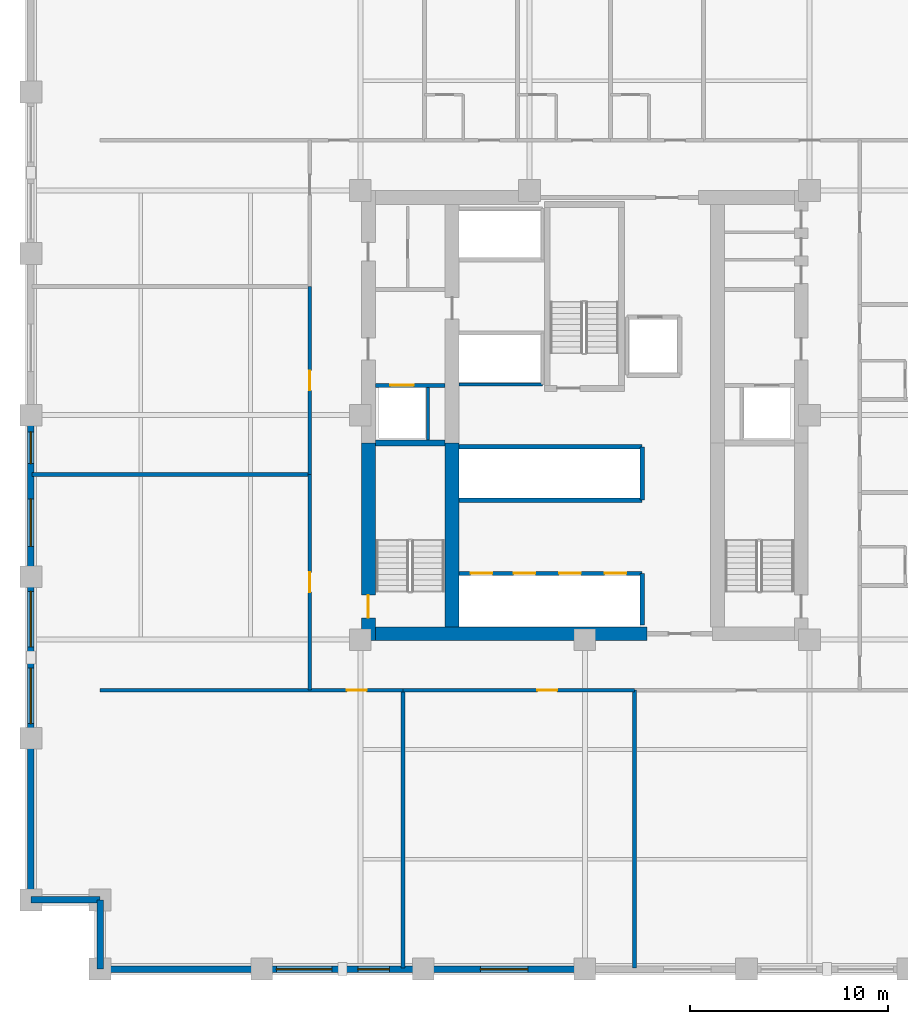
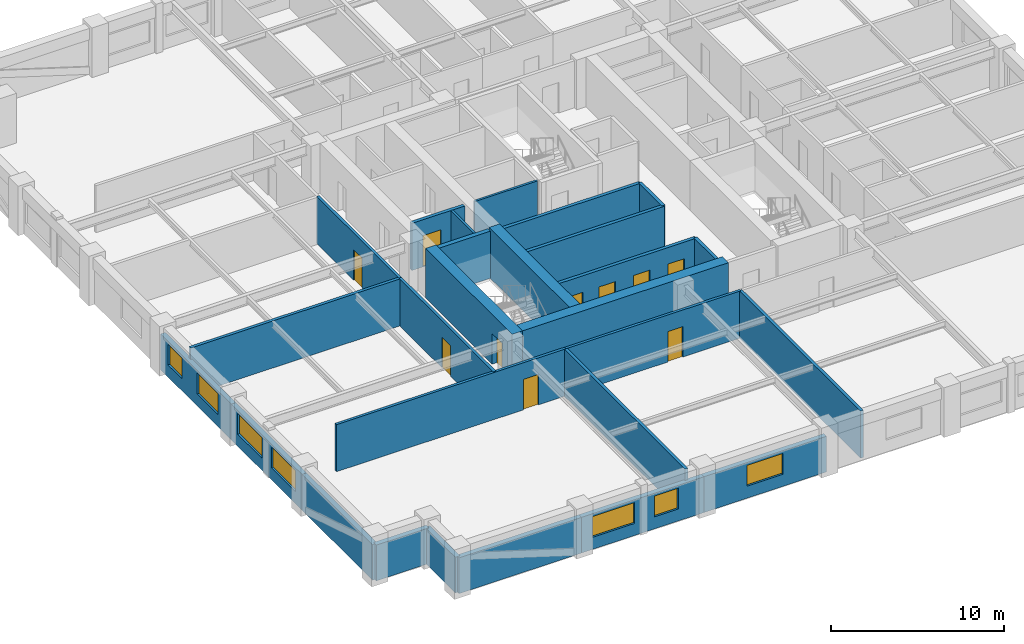
# One storey, part 2 of 7: 27 walls, 10 doors, 7 windows, 17 openings.
"""IFC4 building model written with IfcOpenShell, lengths in metres."""

from ifc_helpers import new_model, si_unit, direction, frame, frame_2d, origin, place, context, subcontext, project, spatial, rectangle, extrude, material, layer, layer_set, type_object, element, fill, save


model = new_model("IFC4")

# Units and contexts
model_context = context("Model", 3, precision=1e-05, world=origin(), true_north=direction((0.0, 1.0)))
body_context = subcontext(model_context, "Body", "Model", "MODEL_VIEW")
ifc_project = project(units=[si_unit("LENGTHUNIT", "METRE"), si_unit("AREAUNIT", "SQUARE_METRE"), si_unit("VOLUMEUNIT", "CUBIC_METRE"), si_unit("PLANEANGLEUNIT", "RADIAN"), si_unit("MASSUNIT", "GRAM", prefix="KILO")], contexts=[model_context])

# Site, building, storey
site_placement = place(None, origin())
site = spatial("IfcSite", under=ifc_project, at=site_placement, CompositionType="ELEMENT")
building_placement = place(site_placement, origin())
building = spatial("IfcBuilding", under=site, at=building_placement, Name="Nhamokura Convention Tower", CompositionType="ELEMENT")
storey_placement = place(building_placement, frame((0.0, 0.0, 52.85009765625)))
storey = spatial("IfcBuildingStorey", under=building, at=storey_placement, Name="L11", CompositionType="ELEMENT", Elevation=52.85009765625)

# Wall
ifc_material_1 = material(Name="Bronze-pigmented precast concrete C45/55", Category="concrete")
ifc_layer_1 = layer(ifc_material_1, 0.320068359375)
ifc_layer_set_1 = layer_set([ifc_layer_1], Name="BronzePrecastSpandrel_320")
wall_type_1 = type_object("IfcWallType", Name="BronzePrecastSpandrel_320", PredefinedType="USERDEFINED", material=ifc_layer_set_1)
wall_1_placement = place(storey_placement, frame((15.666748046875, 4.0, 0.0), z_axis=(0.0, 0.0, 1.0), x_axis=(-1.0, 0.0, 0.0)))
element("IfcWall", 1, at=wall_1_placement, inside=storey, type_object=wall_type_1, Name="L11 Braced-Bay Precast Wall SOUTH 0", ObjectType="SPANDREL_WALL", PredefinedType="USERDEFINED", context=body_context, shape_type="SweptSolid", body=[
    extrude(rectangle(XDim=8.166748046875, YDim=0.320068359375, at=frame_2d((4.08349609375, 0.0))), origin(), (0.0, 0.0, 1.0), 2.52001953125),
])

# Wall, openings, windows
wall_2_placement = place(storey_placement, frame((23.833251953125, 4.0, 0.0), z_axis=(0.0, 0.0, 1.0), x_axis=(-1.0, 0.0, 0.0)))
wall_2 = element("IfcWall", 2, at=wall_2_placement, inside=storey, type_object=wall_type_1, Name="L11 Masonry-Frame Wall SOUTH 1", ObjectType="SPANDREL_WALL", PredefinedType="USERDEFINED", context=body_context, shape_type="SweptSolid", body=[
    extrude(rectangle(XDim=8.16650390625, YDim=0.320068359375, at=frame_2d((4.083251953125, 0.0))), origin(), (0.0, 0.0, 1.0), 2.52001953125),
])
opening_1_placement = place(wall_2_placement, frame((1.708251953125, 0.0, 0.85009765625)))
opening_1 = element("IfcOpeningElement", 3, at=opening_1_placement, cuts=wall_2, Name="Opening W-11", PredefinedType="OPENING", context=body_context, shape_type="SweptSolid", body=[
    extrude(rectangle(XDim=1.60009765625, YDim=1.469970703125, at=frame_2d((0.800048828125, 0.73486328125))), frame((0.0, 0.169921875, 0.0), z_axis=(0.0, -1.0, 0.0), x_axis=(1.0, 0.0, 0.0)), (0.0, 0.0, 1.0), 0.340087890625),
])
opening_2_placement = place(wall_2_placement, frame((4.625, 0.0, 0.85009765625)))
opening_2 = element("IfcOpeningElement", 4, at=opening_2_placement, cuts=wall_2, Name="Opening W-04", PredefinedType="OPENING", context=body_context, shape_type="SweptSolid", body=[
    extrude(rectangle(XDim=2.800048828125, YDim=1.469970703125, at=frame_2d((1.39990234375, 0.73486328125))), frame((0.0, 0.169921875, 0.0), z_axis=(0.0, -1.0, 0.0), x_axis=(1.0, 0.0, 0.0)), (0.0, 0.0, 1.0), 0.340087890625),
])
ifc_material_2 = material(Name="Solar-control bronze low-E double glass", Category="glass")
window_type_1 = type_object("IfcWindowType", Name="HotelSuiteWindow_2800", PartitioningType="DOUBLE_PANEL_VERTICAL", PredefinedType="WINDOW", material=ifc_material_2)
window_1_placement = place(opening_2_placement, origin())
window_1 = element("IfcWindow", 5, at=window_1_placement, inside=storey, type_object=window_type_1, Name="L11 Facade Window SOUTH 1-3", OverallHeight=1.469970703125, OverallWidth=2.800048828125, PartitioningType="SINGLE_PANEL", PredefinedType="WINDOW", context=body_context, shape_type="SweptSolid", body=[
    extrude(rectangle(XDim=2.800048828125, YDim=1.469970703125, at=frame_2d((1.39990234375, 0.73486328125))), frame((0.0, 0.030029296875, 0.0), z_axis=(0.0, -1.0, 0.0), x_axis=(1.0, 0.0, 0.0)), (0.0, 0.0, 1.0), 0.06005859375),
])
fill(opening_2, window_1)
ifc_material_3 = material(Name="Solar-control bronze low-E double glass", Category="glass")
window_type_2 = type_object("IfcWindowType", Name="NotchCornerWindow_1600", PartitioningType="SINGLE_PANEL", PredefinedType="WINDOW", material=ifc_material_3)
window_2_placement = place(opening_1_placement, origin())
window_2 = element("IfcWindow", 6, at=window_2_placement, inside=storey, type_object=window_type_2, Name="L11 Facade Window SOUTH 1-2", OverallHeight=1.469970703125, OverallWidth=1.60009765625, PartitioningType="SINGLE_PANEL", PredefinedType="WINDOW", context=body_context, shape_type="SweptSolid", body=[
    extrude(rectangle(XDim=1.60009765625, YDim=1.469970703125, at=frame_2d((0.800048828125, 0.73486328125))), frame((0.0, 0.030029296875, 0.0), z_axis=(0.0, -1.0, 0.0), x_axis=(1.0, 0.0, 0.0)), (0.0, 0.0, 1.0), 0.06005859375),
])
fill(opening_1, window_2)

# Wall, opening, window
wall_3_placement = place(storey_placement, frame((32.0, 4.0, 0.0), z_axis=(0.0, 0.0, 1.0), x_axis=(-1.0, 0.0, 0.0)))
wall_3 = element("IfcWall", 7, at=wall_3_placement, inside=storey, type_object=wall_type_1, Name="L11 Masonry-Frame Wall SOUTH 2", ObjectType="SPANDREL_WALL", PredefinedType="USERDEFINED", context=body_context, shape_type="SweptSolid", body=[
    extrude(rectangle(XDim=8.166748046875, YDim=0.320068359375, at=frame_2d((4.08349609375, 0.0))), origin(), (0.0, 0.0, 1.0), 2.52001953125),
])
opening_3_placement = place(wall_3_placement, frame((2.88330078125, 0.0, 0.85009765625)))
opening_3 = element("IfcOpeningElement", 8, at=opening_3_placement, cuts=wall_3, Name="Opening W-03", PredefinedType="OPENING", context=body_context, shape_type="SweptSolid", body=[
    extrude(rectangle(XDim=2.39990234375, YDim=1.469970703125, at=frame_2d((1.199951171875, 0.73486328125))), frame((0.0, 0.169921875, 0.0), z_axis=(0.0, -1.0, 0.0), x_axis=(1.0, 0.0, 0.0)), (0.0, 0.0, 1.0), 0.340087890625),
])
ifc_material_4 = material(Name="Solar-control bronze low-E double glass", Category="glass")
window_type_3 = type_object("IfcWindowType", Name="HotelBayWindow_2400", PartitioningType="DOUBLE_PANEL_VERTICAL", PredefinedType="WINDOW", material=ifc_material_4)
window_3_placement = place(opening_3_placement, origin())
window_3 = element("IfcWindow", 9, at=window_3_placement, inside=storey, type_object=window_type_3, Name="L11 Facade Window SOUTH 2", OverallHeight=1.469970703125, OverallWidth=2.39990234375, PartitioningType="SINGLE_PANEL", PredefinedType="WINDOW", context=body_context, shape_type="SweptSolid", body=[
    extrude(rectangle(XDim=2.39990234375, YDim=1.469970703125, at=frame_2d((1.199951171875, 0.73486328125))), frame((0.0, 0.030029296875, 0.0), z_axis=(0.0, -1.0, 0.0), x_axis=(1.0, 0.0, 0.0)), (0.0, 0.0, 1.0), 0.06005859375),
])
fill(opening_3, window_3)

# Wall
wall_4_placement = place(storey_placement, frame((4.0, 7.5, 0.0), z_axis=(0.0, 0.0, 1.0), x_axis=(0.0, 1.0, 0.0)))
element("IfcWall", 10, at=wall_4_placement, inside=storey, type_object=wall_type_1, Name="L11 Braced-Bay Precast Wall WEST 0", ObjectType="SPANDREL_WALL", PredefinedType="USERDEFINED", context=body_context, shape_type="SweptSolid", body=[
    extrude(rectangle(XDim=8.166748046875, YDim=0.320068359375, at=frame_2d((4.08349609375, 0.0))), origin(), (0.0, 0.0, 1.0), 2.52001953125),
])

# Wall, openings, windows
wall_5_placement = place(storey_placement, frame((4.0, 15.666748046875, 0.0), z_axis=(0.0, 0.0, 1.0), x_axis=(0.0, 1.0, 0.0)))
wall_5 = element("IfcWall", 11, at=wall_5_placement, inside=storey, type_object=wall_type_1, Name="L11 Masonry-Frame Wall WEST 1", ObjectType="SPANDREL_WALL", PredefinedType="USERDEFINED", context=body_context, shape_type="SweptSolid", body=[
    extrude(rectangle(XDim=8.16650390625, YDim=0.320068359375, at=frame_2d((4.083251953125, 0.0))), origin(), (0.0, 0.0, 1.0), 2.52001953125),
])
opening_4_placement = place(wall_5_placement, frame((0.74169921875, 0.0, 0.85009765625)))
opening_4 = element("IfcOpeningElement", 12, at=opening_4_placement, cuts=wall_5, Name="Opening W-04", PredefinedType="OPENING", context=body_context, shape_type="SweptSolid", body=[
    extrude(rectangle(XDim=2.800048828125, YDim=1.469970703125, at=frame_2d((1.39990234375, 0.73486328125))), frame((0.0, 0.169921875, 0.0), z_axis=(0.0, -1.0, 0.0), x_axis=(1.0, 0.0, 0.0)), (0.0, 0.0, 1.0), 0.340087890625),
])
opening_5_placement = place(wall_5_placement, frame((4.625, 0.0, 0.85009765625)))
opening_5 = element("IfcOpeningElement", 13, at=opening_5_placement, cuts=wall_5, Name="Opening W-04", PredefinedType="OPENING", context=body_context, shape_type="SweptSolid", body=[
    extrude(rectangle(XDim=2.800048828125, YDim=1.469970703125, at=frame_2d((1.39990234375, 0.73486328125))), frame((0.0, 0.169921875, 0.0), z_axis=(0.0, -1.0, 0.0), x_axis=(1.0, 0.0, 0.0)), (0.0, 0.0, 1.0), 0.340087890625),
])
window_4_placement = place(opening_4_placement, origin())
window_4 = element("IfcWindow", 14, at=window_4_placement, inside=storey, type_object=window_type_1, Name="L11 Facade Window WEST 1-1", OverallHeight=1.469970703125, OverallWidth=2.800048828125, PartitioningType="SINGLE_PANEL", PredefinedType="WINDOW", context=body_context, shape_type="SweptSolid", body=[
    extrude(rectangle(XDim=2.800048828125, YDim=1.469970703125, at=frame_2d((1.39990234375, 0.73486328125))), frame((0.0, 0.030029296875, 0.0), z_axis=(0.0, -1.0, 0.0), x_axis=(1.0, 0.0, 0.0)), (0.0, 0.0, 1.0), 0.06005859375),
])
fill(opening_4, window_4)
window_5_placement = place(opening_5_placement, origin())
window_5 = element("IfcWindow", 15, at=window_5_placement, inside=storey, type_object=window_type_1, Name="L11 Facade Window WEST 1-2", OverallHeight=1.469970703125, OverallWidth=2.800048828125, PartitioningType="SINGLE_PANEL", PredefinedType="WINDOW", context=body_context, shape_type="SweptSolid", body=[
    extrude(rectangle(XDim=2.800048828125, YDim=1.469970703125, at=frame_2d((1.39990234375, 0.73486328125))), frame((0.0, 0.030029296875, 0.0), z_axis=(0.0, -1.0, 0.0), x_axis=(1.0, 0.0, 0.0)), (0.0, 0.0, 1.0), 0.06005859375),
])
fill(opening_5, window_5)

wall_6_placement = place(storey_placement, frame((4.0, 23.833251953125, 0.0), z_axis=(0.0, 0.0, 1.0), x_axis=(0.0, 1.0, 0.0)))
wall_6 = element("IfcWall", 16, at=wall_6_placement, inside=storey, type_object=wall_type_1, Name="L11 Masonry-Frame Wall WEST 2", ObjectType="SPANDREL_WALL", PredefinedType="USERDEFINED", context=body_context, shape_type="SweptSolid", body=[
    extrude(rectangle(XDim=8.166748046875, YDim=0.320068359375, at=frame_2d((4.08349609375, 0.0))), origin(), (0.0, 0.0, 1.0), 2.52001953125),
])
opening_6_placement = place(wall_6_placement, frame((1.533203125, 0.0, 0.85009765625)))
opening_6 = element("IfcOpeningElement", 17, at=opening_6_placement, cuts=wall_6, Name="Opening W-03", PredefinedType="OPENING", context=body_context, shape_type="SweptSolid", body=[
    extrude(rectangle(XDim=2.39990234375, YDim=1.469970703125, at=frame_2d((1.199951171875, 0.73486328125))), frame((0.0, 0.169921875, 0.0), z_axis=(0.0, -1.0, 0.0), x_axis=(1.0, 0.0, 0.0)), (0.0, 0.0, 1.0), 0.340087890625),
])
opening_7_placement = place(wall_6_placement, frame((5.716796875, 0.0, 0.85009765625)))
opening_7 = element("IfcOpeningElement", 18, at=opening_7_placement, cuts=wall_6, Name="Opening W-11", PredefinedType="OPENING", context=body_context, shape_type="SweptSolid", body=[
    extrude(rectangle(XDim=1.60009765625, YDim=1.469970703125, at=frame_2d((0.800048828125, 0.73486328125))), frame((0.0, 0.169921875, 0.0), z_axis=(0.0, -1.0, 0.0), x_axis=(1.0, 0.0, 0.0)), (0.0, 0.0, 1.0), 0.340087890625),
])
window_6_placement = place(opening_6_placement, origin())
window_6 = element("IfcWindow", 19, at=window_6_placement, inside=storey, type_object=window_type_3, Name="L11 Facade Window WEST 2-1", OverallHeight=1.469970703125, OverallWidth=2.39990234375, PartitioningType="SINGLE_PANEL", PredefinedType="WINDOW", context=body_context, shape_type="SweptSolid", body=[
    extrude(rectangle(XDim=2.39990234375, YDim=1.469970703125, at=frame_2d((1.199951171875, 0.73486328125))), frame((0.0, 0.030029296875, 0.0), z_axis=(0.0, -1.0, 0.0), x_axis=(1.0, 0.0, 0.0)), (0.0, 0.0, 1.0), 0.06005859375),
])
fill(opening_6, window_6)
window_7_placement = place(opening_7_placement, origin())
window_7 = element("IfcWindow", 20, at=window_7_placement, inside=storey, type_object=window_type_2, Name="L11 Facade Window WEST 2-2", OverallHeight=1.469970703125, OverallWidth=1.60009765625, PartitioningType="SINGLE_PANEL", PredefinedType="WINDOW", context=body_context, shape_type="SweptSolid", body=[
    extrude(rectangle(XDim=1.60009765625, YDim=1.469970703125, at=frame_2d((0.800048828125, 0.73486328125))), frame((0.0, 0.030029296875, 0.0), z_axis=(0.0, -1.0, 0.0), x_axis=(1.0, 0.0, 0.0)), (0.0, 0.0, 1.0), 0.06005859375),
])
fill(opening_7, window_7)

# Walls
for number, where, z_axis, x_axis, name in (
    (21, (7.5, 4.0, 0.0), (0.0, 0.0, 1.0), (0.0, 1.0, 0.0), "L11 Notched Corner Wall SW1"),
    (22, (7.5, 7.5, 0.0), (0.0, 0.0, 1.0), (-1.0, 0.0, 0.0), "L11 Notched Corner Wall SW2"),
):
    element("IfcWall", number, at=place(storey_placement, frame(where, z_axis=z_axis, x_axis=x_axis)), inside=storey, type_object=wall_type_1, Name=name, ObjectType="SPANDREL_WALL", PredefinedType="USERDEFINED", context=body_context, shape_type="SweptSolid", body=[
        extrude(rectangle(XDim=3.5, YDim=0.320068359375, at=frame_2d((1.75, 0.0))), origin(), (0.0, 0.0, 1.0), 2.52001953125),
    ])

# Wall, opening, door
ifc_material_5 = material(Name="Concrete C70/85", Category="concrete")
ifc_layer_2 = layer(ifc_material_5, 0.699951171875)
ifc_layer_set_2 = layer_set([ifc_layer_2], Name="CoreShearWall_700")
wall_type_2 = type_object("IfcWallType", Name="CoreShearWall_700", PredefinedType="SHEAR", material=ifc_layer_set_2)
wall_7_placement = place(storey_placement, frame((21.06005859375, 20.60009765625, 0.0), z_axis=(0.0, 0.0, 1.0), x_axis=(0.0, 1.0, 0.0)))
wall_7 = element("IfcWall", 23, at=wall_7_placement, inside=storey, type_object=wall_type_2, Name="L11 Core Shear Wall CW-WS", PredefinedType="SHEAR", context=body_context, shape_type="SweptSolid", body=[
    extrude(rectangle(XDim=10.0, YDim=0.699951171875, at=frame_2d((5.0, 0.0))), origin(), (0.0, 0.0, 1.0), 3.5),
])
opening_8_placement = place(wall_7_placement, frame((1.14990234375, 0.0, 0.0)))
opening_8 = element("IfcOpeningElement", 24, at=opening_8_placement, cuts=wall_7, Name="Opening D-04", PredefinedType="OPENING", context=body_context, shape_type="SweptSolid", body=[
    extrude(rectangle(XDim=1.14990234375, YDim=2.14990234375, at=frame_2d((0.574951171875, 1.074951171875))), frame((0.0, 0.35986328125, 0.0), z_axis=(0.0, -1.0, 0.0), x_axis=(1.0, 0.0, 0.0)), (0.0, 0.0, 1.0), 0.719970703125),
])
ifc_material_6 = material(Name="Fire-rated steel door", Category="steel")
door_type_1 = type_object("IfcDoorType", Name="StairSmokeDoor_1150", OperationType="NOTDEFINED", PredefinedType="DOOR", material=ifc_material_6)
door_1_placement = place(opening_8_placement, origin())
door_1 = element("IfcDoor", 25, at=door_1_placement, inside=storey, type_object=door_type_1, Name="L11 Core Door INT-L11-D-ST01", OperationType="SINGLE_SWING_LEFT", OverallHeight=2.14990234375, OverallWidth=1.14990234375, PredefinedType="DOOR", context=body_context, shape_type="SweptSolid", body=[
    extrude(rectangle(XDim=1.14990234375, YDim=2.14990234375, at=frame_2d((0.574951171875, 1.074951171875))), frame((0.0, 0.02490234375, 0.0), z_axis=(0.0, -1.0, 0.0), x_axis=(1.0, 0.0, 0.0)), (0.0, 0.0, 1.0), 0.050048828125),
])
fill(opening_8, door_1)

# Walls
wall_8_placement = place(storey_placement, frame((21.409912109375, 20.949951171875, 0.0), z_axis=(0.0, 0.0, 1.0), x_axis=(1.0, 0.0, 0.0)))
element("IfcWall", 26, at=wall_8_placement, inside=storey, type_object=wall_type_2, Name="L11 Core Shear Wall CW-S1", PredefinedType="SHEAR", context=body_context, shape_type="SweptSolid", body=[
    extrude(rectangle(XDim=13.739990234375, YDim=0.699951171875, at=frame_2d((6.8701171875, 0.0))), origin(), (0.0, 0.0, 1.0), 3.5),
])
wall_9_placement = place(storey_placement, frame((25.2900390625, 21.300048828125, 0.0), z_axis=(0.0, 0.0, 1.0), x_axis=(0.0, 1.0, 0.0)))
element("IfcWall", 27, at=wall_9_placement, inside=storey, type_object=wall_type_2, Name="L11 Core Shear Wall CW-IWS", PredefinedType="SHEAR", context=body_context, shape_type="SweptSolid", body=[
    extrude(rectangle(XDim=9.300048828125, YDim=0.699951171875, at=frame_2d((4.64990234375, 0.0))), origin(), (0.0, 0.0, 1.0), 3.5),
])

# Wall, opening, door
ifc_material_7 = material(Name="Fire-rated gypsum and masonry partition", Category="masonry")
ifc_layer_3 = layer(ifc_material_7, 0.179931640625)
ifc_layer_set_3 = layer_set([ifc_layer_3], Name="CorridorRatedWall_180")
wall_type_3 = type_object("IfcWallType", Name="CorridorRatedWall_180", PredefinedType="STANDARD", material=ifc_layer_set_3)
wall_10_placement = place(storey_placement, frame((7.5, 18.10009765625, 0.0), z_axis=(0.0, 0.0, 1.0), x_axis=(1.0, 0.0, 0.0)))
wall_10 = element("IfcWall", 28, at=wall_10_placement, inside=storey, type_object=wall_type_3, Name="L11 Wall INT-L11-CW-S00", PredefinedType="STANDARD", context=body_context, shape_type="SweptSolid", body=[
    extrude(rectangle(XDim=15.300048828125, YDim=0.179931640625, at=frame_2d((7.64990234375, 0.0))), origin(), (0.0, 0.0, 1.0), 3.31982421875),
])
opening_9_placement = place(wall_10_placement, frame((12.47509765625, 0.0, 0.0)))
opening_9 = element("IfcOpeningElement", 29, at=opening_9_placement, cuts=wall_10, Name="Opening D-07", PredefinedType="OPENING", context=body_context, shape_type="SweptSolid", body=[
    extrude(rectangle(XDim=1.0, YDim=2.14990234375, at=frame_2d((0.5, 1.074951171875))), frame((0.0, 0.099853515625, 0.0), z_axis=(0.0, -1.0, 0.0), x_axis=(1.0, 0.0, 0.0)), (0.0, 0.0, 1.0), 0.199951171875),
])
ifc_material_8 = material(Name="Solid oak hardwood", Category="wood")
door_type_2 = type_object("IfcDoorType", Name="HotelSuiteEntryDoor_1000", OperationType="NOTDEFINED", PredefinedType="DOOR", material=ifc_material_8)
door_2_placement = place(opening_9_placement, origin())
door_2 = element("IfcDoor", 30, at=door_2_placement, inside=storey, type_object=door_type_2, Name="L11 Conference Salon S01 Door", OperationType="SINGLE_SWING_LEFT", OverallHeight=2.14990234375, OverallWidth=1.0, PredefinedType="DOOR", context=body_context, shape_type="SweptSolid", body=[
    extrude(rectangle(XDim=1.0, YDim=2.14990234375, at=frame_2d((0.5, 1.074951171875))), frame((0.0, 0.02490234375, 0.0), z_axis=(0.0, -1.0, 0.0), x_axis=(1.0, 0.0, 0.0)), (0.0, 0.0, 1.0), 0.050048828125),
])
fill(opening_9, door_2)

wall_11_placement = place(storey_placement, frame((22.800048828125, 18.10009765625, 0.0), z_axis=(0.0, 0.0, 1.0), x_axis=(1.0, 0.0, 0.0)))
wall_11 = element("IfcWall", 31, at=wall_11_placement, inside=storey, type_object=wall_type_3, Name="L11 Wall INT-L11-CW-S01", PredefinedType="STANDARD", context=body_context, shape_type="SweptSolid", body=[
    extrude(rectangle(XDim=11.699951171875, YDim=0.179931640625, at=frame_2d((5.85009765625, 0.0))), origin(), (0.0, 0.0, 1.0), 3.31982421875),
])
opening_10_placement = place(wall_11_placement, frame((6.800048828125, 0.0, 0.0)))
opening_10 = element("IfcOpeningElement", 32, at=opening_10_placement, cuts=wall_11, Name="Opening D-07", PredefinedType="OPENING", context=body_context, shape_type="SweptSolid", body=[
    extrude(rectangle(XDim=1.0, YDim=2.14990234375, at=frame_2d((0.5, 1.074951171875))), frame((0.0, 0.099853515625, 0.0), z_axis=(0.0, -1.0, 0.0), x_axis=(1.0, 0.0, 0.0)), (0.0, 0.0, 1.0), 0.199951171875),
])
door_3_placement = place(opening_10_placement, origin())
door_3 = element("IfcDoor", 33, at=door_3_placement, inside=storey, type_object=door_type_2, Name="L11 Conference Salon S02 Door", OperationType="SINGLE_SWING_RIGHT", OverallHeight=2.14990234375, OverallWidth=1.0, PredefinedType="DOOR", context=body_context, shape_type="SweptSolid", body=[
    extrude(rectangle(XDim=1.0, YDim=2.14990234375, at=frame_2d((0.5, 1.074951171875))), frame((0.0, 0.02490234375, 0.0), z_axis=(0.0, -1.0, 0.0), x_axis=(1.0, 0.0, 0.0)), (0.0, 0.0, 1.0), 0.050048828125),
])
fill(opening_10, door_3)

wall_12_placement = place(storey_placement, frame((18.10009765625, 18.10009765625, 0.0), z_axis=(0.0, 0.0, 1.0), x_axis=(0.0, 1.0, 0.0)))
wall_12 = element("IfcWall", 34, at=wall_12_placement, inside=storey, type_object=wall_type_3, Name="L11 Wall INT-L11-CW-W00", PredefinedType="STANDARD", context=body_context, shape_type="SweptSolid", body=[
    extrude(rectangle(XDim=10.89990234375, YDim=0.179931640625, at=frame_2d((5.449951171875, 0.0))), origin(), (0.0, 0.0, 1.0), 3.31982421875),
])
opening_11_placement = place(wall_12_placement, frame((4.949951171875, 0.0, 0.0)))
opening_11 = element("IfcOpeningElement", 35, at=opening_11_placement, cuts=wall_12, Name="Opening D-07", PredefinedType="OPENING", context=body_context, shape_type="SweptSolid", body=[
    extrude(rectangle(XDim=1.0, YDim=2.14990234375, at=frame_2d((0.5, 1.074951171875))), frame((0.0, 0.099853515625, 0.0), z_axis=(0.0, -1.0, 0.0), x_axis=(1.0, 0.0, 0.0)), (0.0, 0.0, 1.0), 0.199951171875),
])
door_4_placement = place(opening_11_placement, origin())
door_4 = element("IfcDoor", 36, at=door_4_placement, inside=storey, type_object=door_type_2, Name="L11 Reading Lounge W01 Door", OperationType="SINGLE_SWING_LEFT", OverallHeight=2.14990234375, OverallWidth=1.0, PredefinedType="DOOR", context=body_context, shape_type="SweptSolid", body=[
    extrude(rectangle(XDim=1.0, YDim=2.14990234375, at=frame_2d((0.5, 1.074951171875))), frame((0.0, 0.02490234375, 0.0), z_axis=(0.0, -1.0, 0.0), x_axis=(1.0, 0.0, 0.0)), (0.0, 0.0, 1.0), 0.050048828125),
])
fill(opening_11, door_4)

wall_13_placement = place(storey_placement, frame((18.10009765625, 29.0, 0.0), z_axis=(0.0, 0.0, 1.0), x_axis=(0.0, 1.0, 0.0)))
wall_13 = element("IfcWall", 37, at=wall_13_placement, inside=storey, type_object=wall_type_3, Name="L11 Wall INT-L11-CW-W01", PredefinedType="STANDARD", context=body_context, shape_type="SweptSolid", body=[
    extrude(rectangle(XDim=9.5, YDim=0.179931640625, at=frame_2d((4.75, 0.0))), origin(), (0.0, 0.0, 1.0), 3.31982421875),
])
opening_12_placement = place(wall_13_placement, frame((4.25, 0.0, 0.0)))
opening_12 = element("IfcOpeningElement", 38, at=opening_12_placement, cuts=wall_13, Name="Opening D-07", PredefinedType="OPENING", context=body_context, shape_type="SweptSolid", body=[
    extrude(rectangle(XDim=1.0, YDim=2.14990234375, at=frame_2d((0.5, 1.074951171875))), frame((0.0, 0.099853515625, 0.0), z_axis=(0.0, -1.0, 0.0), x_axis=(1.0, 0.0, 0.0)), (0.0, 0.0, 1.0), 0.199951171875),
])
door_5_placement = place(opening_12_placement, origin())
door_5 = element("IfcDoor", 39, at=door_5_placement, inside=storey, type_object=door_type_2, Name="L11 Pantry W02 Door", OperationType="SINGLE_SWING_RIGHT", OverallHeight=2.14990234375, OverallWidth=1.0, PredefinedType="DOOR", context=body_context, shape_type="SweptSolid", body=[
    extrude(rectangle(XDim=1.0, YDim=2.14990234375, at=frame_2d((0.5, 1.074951171875))), frame((0.0, 0.02490234375, 0.0), z_axis=(0.0, -1.0, 0.0), x_axis=(1.0, 0.0, 0.0)), (0.0, 0.0, 1.0), 0.050048828125),
])
fill(opening_12, door_5)

ifc_material_9 = material(Name="Autoclaved concrete blockwork", Category="masonry")
ifc_layer_4 = layer(ifc_material_9, 0.219970703125)
ifc_layer_set_4 = layer_set([ifc_layer_4], Name="FireLobbyWall_220")
wall_type_4 = type_object("IfcWallType", Name="FireLobbyWall_220", PredefinedType="STANDARD", material=ifc_layer_set_4)
wall_14_placement = place(storey_placement, frame((21.409912109375, 33.5, 0.0), z_axis=(0.0, 0.0, 1.0), x_axis=(1.0, 0.0, 0.0)))
wall_14 = element("IfcWall", 40, at=wall_14_placement, inside=storey, type_object=wall_type_4, Name="L11 Wall INT-L11-FFW-S", PredefinedType="STANDARD", context=body_context, shape_type="SweptSolid", body=[
    extrude(rectangle(XDim=3.530029296875, YDim=0.219970703125, at=frame_2d((1.76513671875, 0.0))), origin(), (0.0, 0.0, 1.0), 3.31982421875),
])
opening_13_placement = place(wall_14_placement, frame((0.75, 0.0, 0.0)))
opening_13 = element("IfcOpeningElement", 41, at=opening_13_placement, cuts=wall_14, Name="Opening LD-02", PredefinedType="OPENING", context=body_context, shape_type="SweptSolid", body=[
    extrude(rectangle(XDim=1.199951171875, YDim=2.199951171875, at=frame_2d((0.60009765625, 1.10009765625))), frame((0.0, 0.119873046875, 0.0), z_axis=(0.0, -1.0, 0.0), x_axis=(1.0, 0.0, 0.0)), (0.0, 0.0, 1.0), 0.239990234375),
])
ifc_material_10 = material(Name="Anodised bronze stainless steel", Category="steel")
door_type_3 = type_object("IfcDoorType", Name="LiftLandingDoor_FireService", OperationType="DOUBLE_DOOR_SLIDING", PredefinedType="DOOR", material=ifc_material_10)
door_6_placement = place(opening_13_placement, origin())
door_6 = element("IfcDoor", 42, at=door_6_placement, inside=storey, type_object=door_type_3, Name="L11 Firefighting Lift LF-01 Door", OperationType="DOUBLE_DOOR_SLIDING", OverallHeight=2.199951171875, OverallWidth=1.199951171875, PredefinedType="DOOR", context=body_context, shape_type="SweptSolid", body=[
    extrude(rectangle(XDim=1.199951171875, YDim=2.199951171875, at=frame_2d((0.60009765625, 1.10009765625))), frame((0.0, 0.02490234375, 0.0), z_axis=(0.0, -1.0, 0.0), x_axis=(1.0, 0.0, 0.0)), (0.0, 0.0, 1.0), 0.050048828125),
])
fill(opening_13, door_6)

# Wall, openings, doors
wall_15_placement = place(storey_placement, frame((25.64990234375, 24.0, 0.0), z_axis=(0.0, 0.0, 1.0), x_axis=(1.0, 0.0, 0.0)))
wall_15 = element("IfcWall", 43, at=wall_15_placement, inside=storey, type_object=wall_type_4, Name="L11 Wall INT-L11-B1N", PredefinedType="STANDARD", context=body_context, shape_type="SweptSolid", body=[
    extrude(rectangle(XDim=9.25, YDim=0.219970703125, at=frame_2d((4.625, 0.0))), origin(), (0.0, 0.0, 1.0), 3.31982421875),
])
opening_14_placement = place(wall_15_placement, frame((0.580078125, 0.0, 0.0)))
opening_14 = element("IfcOpeningElement", 44, at=opening_14_placement, cuts=wall_15, Name="Opening LD-01", PredefinedType="OPENING", context=body_context, shape_type="SweptSolid", body=[
    extrude(rectangle(XDim=1.10009765625, YDim=2.14990234375, at=frame_2d((0.550048828125, 1.074951171875))), frame((0.0, 0.119873046875, 0.0), z_axis=(0.0, -1.0, 0.0), x_axis=(1.0, 0.0, 0.0)), (0.0, 0.0, 1.0), 0.239990234375),
])
opening_15_placement = place(wall_15_placement, frame((2.75, 0.0, 0.0)))
opening_15 = element("IfcOpeningElement", 45, at=opening_15_placement, cuts=wall_15, Name="Opening LD-01", PredefinedType="OPENING", context=body_context, shape_type="SweptSolid", body=[
    extrude(rectangle(XDim=1.10009765625, YDim=2.14990234375, at=frame_2d((0.550048828125, 1.074951171875))), frame((0.0, 0.119873046875, 0.0), z_axis=(0.0, -1.0, 0.0), x_axis=(1.0, 0.0, 0.0)), (0.0, 0.0, 1.0), 0.239990234375),
])
opening_16_placement = place(wall_15_placement, frame((5.050048828125, 0.0, 0.0)))
opening_16 = element("IfcOpeningElement", 46, at=opening_16_placement, cuts=wall_15, Name="Opening LD-01", PredefinedType="OPENING", context=body_context, shape_type="SweptSolid", body=[
    extrude(rectangle(XDim=1.10009765625, YDim=2.14990234375, at=frame_2d((0.550048828125, 1.074951171875))), frame((0.0, 0.119873046875, 0.0), z_axis=(0.0, -1.0, 0.0), x_axis=(1.0, 0.0, 0.0)), (0.0, 0.0, 1.0), 0.239990234375),
])
opening_17_placement = place(wall_15_placement, frame((7.35009765625, 0.0, 0.0)))
opening_17 = element("IfcOpeningElement", 47, at=opening_17_placement, cuts=wall_15, Name="Opening LD-01", PredefinedType="OPENING", context=body_context, shape_type="SweptSolid", body=[
    extrude(rectangle(XDim=1.10009765625, YDim=2.14990234375, at=frame_2d((0.550048828125, 1.074951171875))), frame((0.0, 0.119873046875, 0.0), z_axis=(0.0, -1.0, 0.0), x_axis=(1.0, 0.0, 0.0)), (0.0, 0.0, 1.0), 0.239990234375),
])
ifc_material_11 = material(Name="Anodised bronze stainless steel", Category="steel")
door_type_4 = type_object("IfcDoorType", Name="LiftLandingDoor_Passenger", OperationType="DOUBLE_DOOR_SLIDING", PredefinedType="DOOR", material=ifc_material_11)
door_7_placement = place(opening_14_placement, origin())
door_7 = element("IfcDoor", 48, at=door_7_placement, inside=storey, type_object=door_type_4, Name="L11 Lift LP-01 Landing Door", OperationType="DOUBLE_DOOR_SLIDING", OverallHeight=2.14990234375, OverallWidth=1.10009765625, PredefinedType="DOOR", context=body_context, shape_type="SweptSolid", body=[
    extrude(rectangle(XDim=1.10009765625, YDim=2.14990234375, at=frame_2d((0.550048828125, 1.074951171875))), frame((0.0, 0.02490234375, 0.0), z_axis=(0.0, -1.0, 0.0), x_axis=(1.0, 0.0, 0.0)), (0.0, 0.0, 1.0), 0.050048828125),
])
fill(opening_14, door_7)
door_8_placement = place(opening_15_placement, origin())
door_8 = element("IfcDoor", 49, at=door_8_placement, inside=storey, type_object=door_type_4, Name="L11 Lift LP-02 Landing Door", OperationType="DOUBLE_DOOR_SLIDING", OverallHeight=2.14990234375, OverallWidth=1.10009765625, PredefinedType="DOOR", context=body_context, shape_type="SweptSolid", body=[
    extrude(rectangle(XDim=1.10009765625, YDim=2.14990234375, at=frame_2d((0.550048828125, 1.074951171875))), frame((0.0, 0.02490234375, 0.0), z_axis=(0.0, -1.0, 0.0), x_axis=(1.0, 0.0, 0.0)), (0.0, 0.0, 1.0), 0.050048828125),
])
fill(opening_15, door_8)
door_9_placement = place(opening_16_placement, origin())
door_9 = element("IfcDoor", 50, at=door_9_placement, inside=storey, type_object=door_type_4, Name="L11 Lift LP-03 Landing Door", OperationType="DOUBLE_DOOR_SLIDING", OverallHeight=2.14990234375, OverallWidth=1.10009765625, PredefinedType="DOOR", context=body_context, shape_type="SweptSolid", body=[
    extrude(rectangle(XDim=1.10009765625, YDim=2.14990234375, at=frame_2d((0.550048828125, 1.074951171875))), frame((0.0, 0.02490234375, 0.0), z_axis=(0.0, -1.0, 0.0), x_axis=(1.0, 0.0, 0.0)), (0.0, 0.0, 1.0), 0.050048828125),
])
fill(opening_16, door_9)
door_10_placement = place(opening_17_placement, origin())
door_10 = element("IfcDoor", 51, at=door_10_placement, inside=storey, type_object=door_type_4, Name="L11 Lift LP-04 Landing Door", OperationType="DOUBLE_DOOR_SLIDING", OverallHeight=2.14990234375, OverallWidth=1.10009765625, PredefinedType="DOOR", context=body_context, shape_type="SweptSolid", body=[
    extrude(rectangle(XDim=1.10009765625, YDim=2.14990234375, at=frame_2d((0.550048828125, 1.074951171875))), frame((0.0, 0.02490234375, 0.0), z_axis=(0.0, -1.0, 0.0), x_axis=(1.0, 0.0, 0.0)), (0.0, 0.0, 1.0), 0.050048828125),
])
fill(opening_17, door_10)

# Walls
wall_16_placement = place(storey_placement, frame((34.89990234375, 21.39990234375, 0.0), z_axis=(0.0, 0.0, 1.0), x_axis=(0.0, 1.0, 0.0)))
element("IfcWall", 52, at=wall_16_placement, inside=storey, type_object=wall_type_4, Name="L11 Wall INT-L11-B1E", PredefinedType="STANDARD", context=body_context, shape_type="SweptSolid", body=[
    extrude(rectangle(XDim=2.60009765625, YDim=0.219970703125, at=frame_2d((1.300048828125, 0.0))), origin(), (0.0, 0.0, 1.0), 3.31982421875),
])
for number, where, z_axis, x_axis, name in (
    (53, (25.64990234375, 27.699951171875, 0.0), (0.0, 0.0, 1.0), (1.0, 0.0, 0.0), "L11 Wall INT-L11-B2S"),
    (54, (25.64990234375, 30.39990234375, 0.0), (0.0, 0.0, 1.0), (1.0, 0.0, 0.0), "L11 Wall INT-L11-B2N"),
):
    element("IfcWall", number, at=place(storey_placement, frame(where, z_axis=z_axis, x_axis=x_axis)), inside=storey, type_object=wall_type_4, Name=name, PredefinedType="STANDARD", context=body_context, shape_type="SweptSolid", body=[
        extrude(rectangle(XDim=9.25, YDim=0.219970703125, at=frame_2d((4.625, 0.0))), origin(), (0.0, 0.0, 1.0), 3.31982421875),
    ])
wall_17_placement = place(storey_placement, frame((34.89990234375, 27.699951171875, 0.0), z_axis=(0.0, 0.0, 1.0), x_axis=(0.0, 1.0, 0.0)))
element("IfcWall", 55, at=wall_17_placement, inside=storey, type_object=wall_type_4, Name="L11 Wall INT-L11-B2E", PredefinedType="STANDARD", context=body_context, shape_type="SweptSolid", body=[
    extrude(rectangle(XDim=2.699951171875, YDim=0.219970703125, at=frame_2d((1.35009765625, 0.0))), origin(), (0.0, 0.0, 1.0), 3.31982421875),
])
ifc_material_12 = material(Name="Acoustic twin-stud gypsum partition", Category="masonry")
ifc_layer_5 = layer(ifc_material_12, 0.199951171875)
ifc_layer_set_5 = layer_set([ifc_layer_5], Name="HotelDemisingWall_200")
wall_type_5 = type_object("IfcWallType", Name="HotelDemisingWall_200", PredefinedType="STANDARD", material=ifc_layer_set_5)
for number, where, z_axis, x_axis, name in (
    (56, (22.800048828125, 4.06005859375, 0.0), (0.0, 0.0, 1.0), (0.0, 1.0, 0.0), "L11 Wall INT-L11-RW-S01"),
    (57, (34.5, 4.06005859375, 0.0), (0.0, 0.0, 1.0), (0.0, 1.0, 0.0), "L11 Wall INT-L11-RW-S02"),
    (58, (4.06005859375, 29.0, 0.0), (0.0, 0.0, 1.0), (1.0, 0.0, 0.0), "L11 Wall INT-L11-RW-W01"),
):
    element("IfcWall", number, at=place(storey_placement, frame(where, z_axis=z_axis, x_axis=x_axis)), inside=storey, type_object=wall_type_5, Name=name, PredefinedType="STANDARD", context=body_context, shape_type="SweptSolid", body=[
        extrude(rectangle(XDim=14.0400390625, YDim=0.199951171875, at=frame_2d((7.02001953125, 0.0))), origin(), (0.0, 0.0, 1.0), 3.31982421875),
    ])
ifc_material_13 = material(Name="Acoustic gypsum stud partition", Category="masonry")
ifc_layer_6 = layer(ifc_material_13, 0.14990234375)
ifc_layer_set_6 = layer_set([ifc_layer_6], Name="InteriorPartition_150")
wall_type_6 = type_object("IfcWallType", Name="InteriorPartition_150", PredefinedType="STANDARD", material=ifc_layer_set_6)
wall_18_placement = place(storey_placement, frame((24.080078125, 30.75, 0.0), z_axis=(0.0, 0.0, 1.0), x_axis=(0.0, 1.0, 0.0)))
element("IfcWall", 59, at=wall_18_placement, inside=storey, type_object=wall_type_6, Name="L11 Wall INT-L11-FF1-E", PredefinedType="STANDARD", context=body_context, shape_type="SweptSolid", body=[
    extrude(rectangle(XDim=2.64990234375, YDim=0.14990234375, at=frame_2d((1.324951171875, 0.0))), origin(), (0.0, 0.0, 1.0), 3.31982421875),
])
wall_19_placement = place(storey_placement, frame((25.64990234375, 33.550048828125, 0.0), z_axis=(0.0, 0.0, 1.0), x_axis=(1.0, 0.0, 0.0)))
element("IfcWall", 60, at=wall_19_placement, inside=storey, type_object=wall_type_6, Name="L11 Wall INT-L11-B3A-S", PredefinedType="STANDARD", context=body_context, shape_type="SweptSolid", body=[
    extrude(rectangle(XDim=4.2001953125, YDim=0.14990234375, at=frame_2d((2.10009765625, 0.0))), origin(), (0.0, 0.0, 1.0), 3.31982421875),
])
ifc_material_14 = material(Name="Concrete C50/60", Category="concrete")
ifc_layer_7 = layer(ifc_material_14, 0.300048828125)
ifc_layer_set_7 = layer_set([ifc_layer_7], Name="ShaftEnclosureWall_300")
wall_type_7 = type_object("IfcWallType", Name="ShaftEnclosureWall_300", PredefinedType="SHEAR", material=ifc_layer_set_7)
wall_20_placement = place(storey_placement, frame((21.409912109375, 30.60009765625, 0.0), z_axis=(0.0, 0.0, 1.0), x_axis=(1.0, 0.0, 0.0)))
element("IfcWall", 61, at=wall_20_placement, inside=storey, type_object=wall_type_7, Name="L11 Wall INT-L11-ST01-N", PredefinedType="SHEAR", context=body_context, shape_type="SweptSolid", body=[
    extrude(rectangle(XDim=3.530029296875, YDim=0.300048828125, at=frame_2d((1.76513671875, 0.0))), origin(), (0.0, 0.0, 1.0), 3.31982421875),
])

save(model, "model.ifc")
